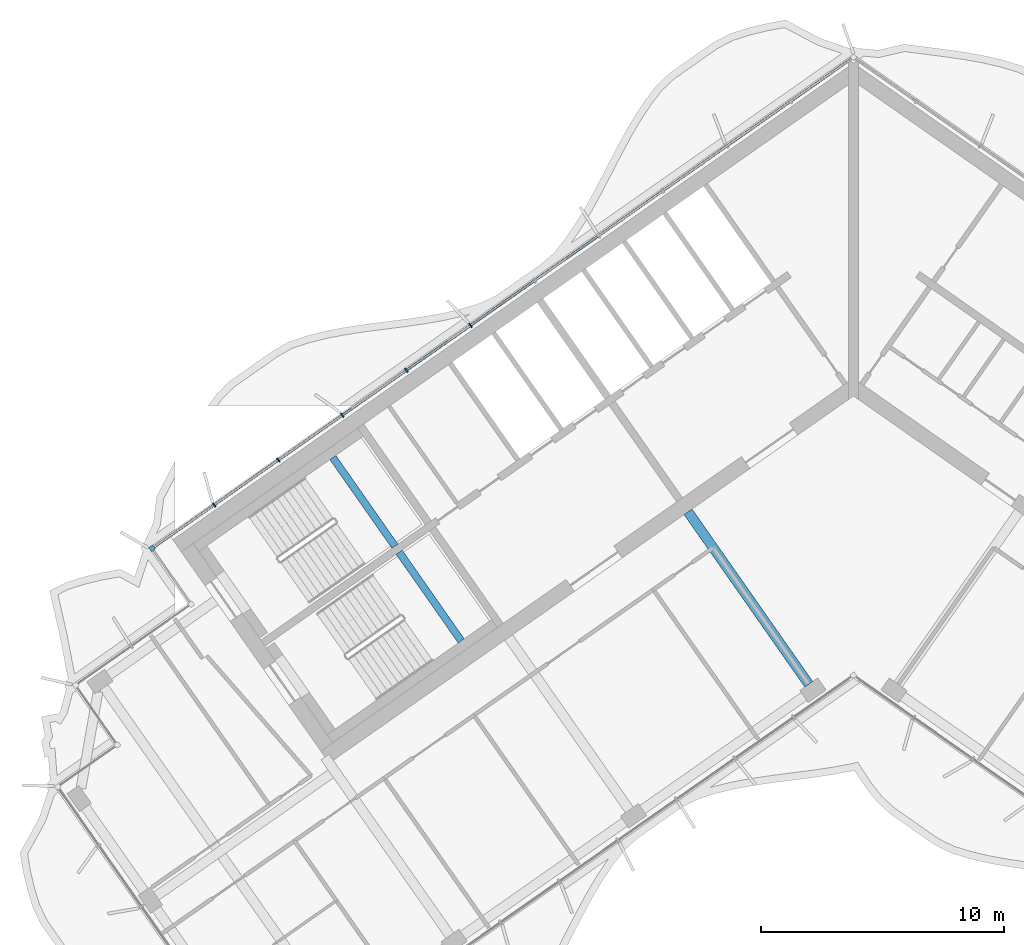
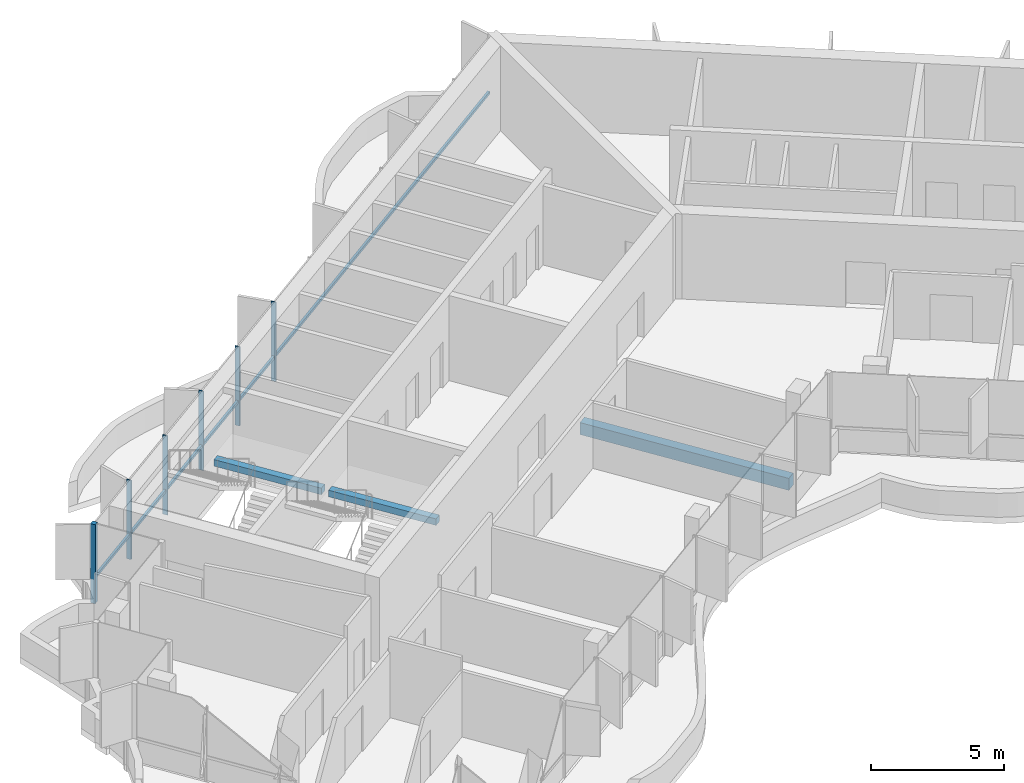
# One storey, part 3 of 17: 7 members, 3 beams, 1 element without a shape of its own.
"""IFC4 building model written with IfcOpenShell, lengths in metres."""

from ifc_helpers import new_model, si_unit, direction, frame, origin, origin_2d, place, context, subcontext, project, spatial, rectangle, extrude, material, material_profile, profile_set, type_object, element, aggregate, save


model = new_model("IFC4")

# Units and contexts
model_context = context("Model", 3, precision=1e-05, world=origin(), true_north=direction((0.0, 1.0)))
body_context = subcontext(model_context, "Body", "Model", "MODEL_VIEW")
ifc_project = project(units=[si_unit("LENGTHUNIT", "METRE"), si_unit("AREAUNIT", "SQUARE_METRE"), si_unit("VOLUMEUNIT", "CUBIC_METRE"), si_unit("PLANEANGLEUNIT", "RADIAN"), si_unit("MASSUNIT", "GRAM", prefix="KILO")], contexts=[model_context])

# Site, building, storey
site_placement = place(None, origin())
site = spatial("IfcSite", under=ifc_project, at=site_placement, CompositionType="ELEMENT")
building_placement = place(site_placement, origin())
building = spatial("IfcBuilding", under=site, at=building_placement, Name="Tel Ilan Convention Tower", CompositionType="ELEMENT")
storey_placement = place(building_placement, frame((0.0, 0.0, 283.89990234375)))
storey = spatial("IfcBuildingStorey", under=building, at=storey_placement, Name="L67", CompositionType="ELEMENT", Elevation=283.89990234375)

# Beam
ifc_material_1 = material(Name="Concrete C40/50", Category="concrete")
ifc_material_profile_1 = material_profile(ifc_material_1, rectangle(XDim=0.39990234375, YDim=0.550048828125, at=origin_2d()), Name="RC 400x550")
ifc_profile_set_1 = profile_set([ifc_material_profile_1], Name="Concrete C40/50")
beam_type_1 = type_object("IfcBeamType", Name="Beam RC 400x550 Concrete C40/50", PredefinedType="BEAM", material=ifc_profile_set_1)
beam_1_placement = place(storey_placement, frame((-1.83740234375, -13.06689453125, -0.554931640625), z_axis=(-0.573574099654, 0.819153680457, 0.0), x_axis=(-0.819153680457, -0.573574099654, 0.0)))
element("IfcBeam", 1, at=beam_1_placement, inside=storey, type_object=beam_type_1, Name="L67 beam W-W-F1-core", PredefinedType="BEAM", context=body_context, shape_type="SweptSolid", body=[
    extrude(rectangle(XDim=0.39990234375, YDim=0.550048828125, at=origin_2d()), origin(), (0.0, 0.0, 1.0), 8.64990234375),
])

# Curtain wall, members
ifc_material_2 = material(Name="Aluminium, bronze anodised", Category="aluminium")
curtain_wall_type = type_object("IfcCurtainWallType", Name="CW2 STICK CURTAIN WALL, SPANDREL PANELS", PredefinedType="NOTDEFINED", material=ifc_material_2)
curtain_wall_placement = place(storey_placement, origin())
curtain_wall = element("IfcCurtainWall", 2, at=curtain_wall_placement, inside=storey, type_object=curtain_wall_type, Name="Curtain wall CW2-50.01", PredefinedType="NOTDEFINED")
ifc_material_3 = material(Name="Aluminium, bronze anodised", Category="aluminium")
ifc_material_profile_2 = material_profile(ifc_material_3, rectangle(XDim=0.199951171875, YDim=0.199951171875, at=origin_2d()), Name="CW CORNER MULLION 200x200")
ifc_profile_set_2 = profile_set([ifc_material_profile_2], Name="Aluminium, bronze anodised")
member_type_1 = type_object("IfcMemberType", Name="CW CORNER MULLION 200x200", PredefinedType="MULLION", material=ifc_profile_set_2)
member_1_placement = place(storey_placement, frame((-28.819580078125, -7.483642578125, 0.0), z_axis=(0.0, 0.0, 1.0), x_axis=(-0.819152044289, -0.573576436351, 0.0)))
member_1 = element("IfcMember", 3, at=member_1_placement, type_object=member_type_1, Name="Corner mullion", PredefinedType="MULLION", context=body_context, shape_type="SweptSolid", body=[
    extrude(rectangle(XDim=0.199951171875, YDim=0.199951171875, at=origin_2d()), origin(), (0.0, 0.0, 1.0), 3.6201171875),
])
ifc_material_4 = material(Name="Aluminium, bronze anodised", Category="aluminium")
ifc_material_profile_3 = material_profile(ifc_material_4, rectangle(XDim=0.06005859375, YDim=0.199951171875, at=origin_2d()), Name="CW MULLION 60x200")
ifc_profile_set_3 = profile_set([ifc_material_profile_3], Name="Aluminium, bronze anodised")
member_type_2 = type_object("IfcMemberType", Name="CW MULLION 60x200", PredefinedType="MULLION", material=ifc_profile_set_3)
member_2_placement = place(storey_placement, frame((-15.73828125, 1.676025390625, 0.0), z_axis=(0.0, 0.0, 1.0), x_axis=(-0.819152044289, -0.573576436351, 0.0)))
member_2 = element("IfcMember", 4, at=member_2_placement, type_object=member_type_2, Name="Mullion", PredefinedType="MULLION", context=body_context, shape_type="SweptSolid", body=[
    extrude(rectangle(XDim=0.06005859375, YDim=0.199951171875, at=origin_2d()), origin(), (0.0, 0.0, 1.0), 3.6201171875),
])
member_3_placement = place(storey_placement, frame((-18.37109375, -0.16748046875, 0.0), z_axis=(0.0, 0.0, 1.0), x_axis=(-0.819152044289, -0.573576436351, 0.0)))
member_3 = element("IfcMember", 5, at=member_3_placement, type_object=member_type_2, Name="Mullion", PredefinedType="MULLION", context=body_context, shape_type="SweptSolid", body=[
    extrude(rectangle(XDim=0.06005859375, YDim=0.199951171875, at=origin_2d()), origin(), (0.0, 0.0, 1.0), 3.6201171875),
])
member_4_placement = place(storey_placement, frame((-21.003662109375, -2.0107421875, 0.0), z_axis=(0.0, 0.0, 1.0), x_axis=(-0.819152044289, -0.573576436351, 0.0)))
member_4 = element("IfcMember", 6, at=member_4_placement, type_object=member_type_2, Name="Mullion", PredefinedType="MULLION", context=body_context, shape_type="SweptSolid", body=[
    extrude(rectangle(XDim=0.06005859375, YDim=0.199951171875, at=origin_2d()), origin(), (0.0, 0.0, 1.0), 3.6201171875),
])
member_5_placement = place(storey_placement, frame((-23.63623046875, -3.854248046875, 0.0), z_axis=(0.0, 0.0, 1.0), x_axis=(-0.819152044289, -0.573576436351, 0.0)))
member_5 = element("IfcMember", 7, at=member_5_placement, type_object=member_type_2, Name="Mullion", PredefinedType="MULLION", context=body_context, shape_type="SweptSolid", body=[
    extrude(rectangle(XDim=0.06005859375, YDim=0.199951171875, at=origin_2d()), origin(), (0.0, 0.0, 1.0), 3.6201171875),
])
member_6_placement = place(storey_placement, frame((-26.268798828125, -5.697509765625, 0.0), z_axis=(0.0, 0.0, 1.0), x_axis=(-0.819152044289, -0.573576436351, 0.0)))
member_6 = element("IfcMember", 8, at=member_6_placement, type_object=member_type_2, Name="Mullion", PredefinedType="MULLION", context=body_context, shape_type="SweptSolid", body=[
    extrude(rectangle(XDim=0.06005859375, YDim=0.199951171875, at=origin_2d()), origin(), (0.0, 0.0, 1.0), 3.6201171875),
])
ifc_material_5 = material(Name="Aluminium, bronze anodised", Category="aluminium")
ifc_material_profile_4 = material_profile(ifc_material_5, rectangle(XDim=0.10009765625, YDim=0.1201171875, at=origin_2d()), Name="CW TRANSOM 100x120")
ifc_profile_set_4 = profile_set([ifc_material_profile_4], Name="Aluminium, bronze anodised")
member_type_3 = type_object("IfcMemberType", Name="CW TRANSOM 100x120", PredefinedType="USERDEFINED", material=ifc_profile_set_4)
member_7_placement = place(storey_placement, frame((-0.1064453125, 12.62158203125, 1.10009765625), z_axis=(-0.819150201937, -0.573579067494, 0.0), x_axis=(0.573579067494, -0.819150201937, 0.0)))
member_7 = element("IfcMember", 9, at=member_7_placement, type_object=member_type_3, Name="Transom", ObjectType="TRANSOM", PredefinedType="USERDEFINED", context=body_context, shape_type="SweptSolid", body=[
    extrude(rectangle(XDim=0.10009765625, YDim=0.1201171875, at=origin_2d()), origin(), (0.0, 0.0, 1.0), 34.9521484375),
])
aggregate(curtain_wall, [member_2, member_3, member_4, member_5, member_6, member_1, member_7])

# Beams
ifc_material_6 = material(Name="Concrete C40/50", Category="concrete")
ifc_material_profile_5 = material_profile(ifc_material_6, rectangle(XDim=0.300048828125, YDim=0.300048828125, at=origin_2d()), Name="RC 300x300")
ifc_profile_set_5 = profile_set([ifc_material_profile_5], Name="Concrete C40/50")
beam_type_2 = type_object("IfcBeamType", Name="Landing Beam RC 300x300 Concrete C40/50", PredefinedType="BEAM", material=ifc_profile_set_5)
beam_2_placement = place(storey_placement, frame((-18.841796875, -7.394287109375, 1.60009765625), z_axis=(-0.573547030514, 0.819172633691, 0.0), x_axis=(-0.819172633691, -0.573547030514, 0.0)))
element("IfcBeam", 10, at=beam_2_placement, inside=storey, type_object=beam_type_2, Name="S1 landing beam L67.1", PredefinedType="BEAM", context=body_context, shape_type="SweptSolid", body=[
    extrude(rectangle(XDim=0.300048828125, YDim=0.300048828125, at=origin_2d()), origin(), (0.0, 0.0, 1.0), 4.449951171875),
])
beam_3_placement = place(storey_placement, frame((-16.1171875, -11.285400390625, 1.60009765625), z_axis=(-0.573583844845, 0.819146856756, 0.0), x_axis=(-0.819146856756, -0.573583844845, 0.0)))
element("IfcBeam", 11, at=beam_3_placement, inside=storey, type_object=beam_type_2, Name="S2 landing beam L67.1", PredefinedType="BEAM", context=body_context, shape_type="SweptSolid", body=[
    extrude(rectangle(XDim=0.300048828125, YDim=0.300048828125, at=origin_2d()), origin(), (0.0, 0.0, 1.0), 4.4501953125),
])

save(model, "model.ifc")
